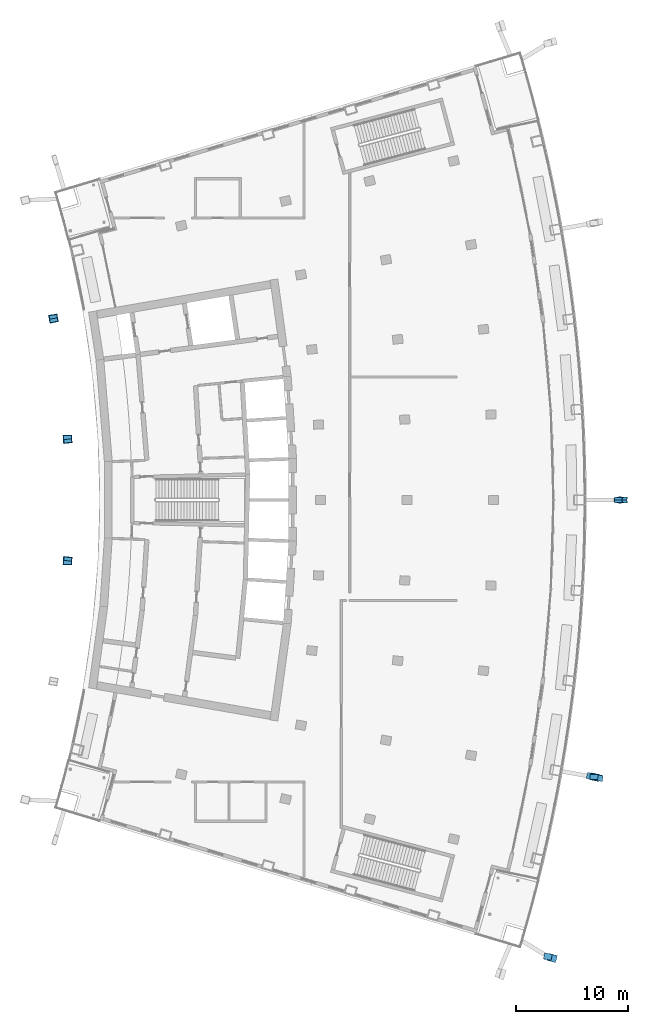
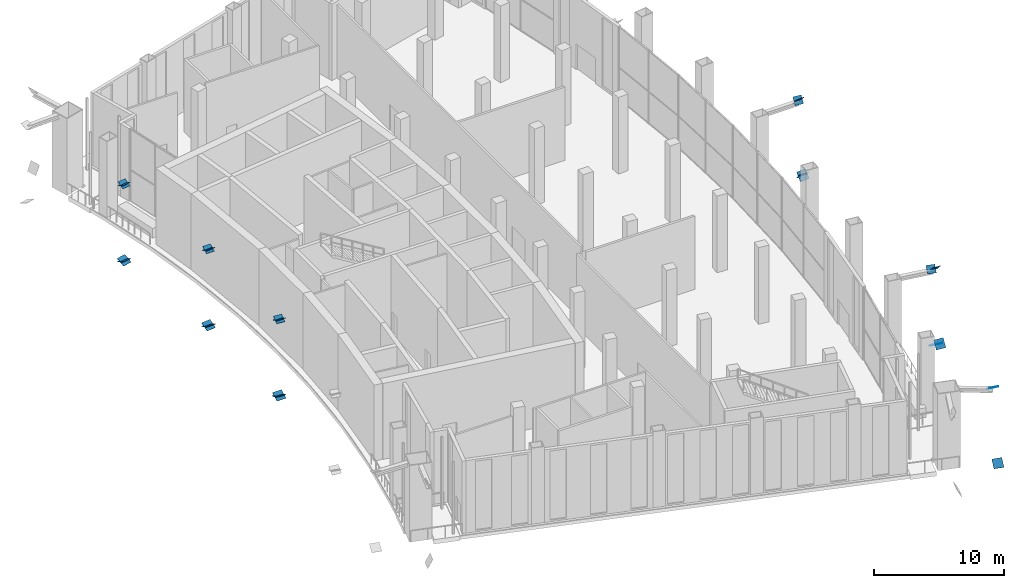
# One storey, part 20 of 26: 22 discrete accessories.
"""IFC4 building model written with IfcOpenShell, lengths in metres."""

from ifc_helpers import new_model, si_unit, direction, frame, origin, origin_2d, place, context, subcontext, project, spatial, rectangle, extrude, material, material_profile, profile_set, type_object, element, save


model = new_model("IFC4")

# Units and contexts
model_context = context("Model", 3, precision=1e-05, world=origin(), true_north=direction((0.0, 1.0)))
body_context = subcontext(model_context, "Body", "Model", "MODEL_VIEW")
ifc_project = project(units=[si_unit("LENGTHUNIT", "METRE"), si_unit("AREAUNIT", "SQUARE_METRE"), si_unit("VOLUMEUNIT", "CUBIC_METRE"), si_unit("PLANEANGLEUNIT", "RADIAN"), si_unit("MASSUNIT", "GRAM", prefix="KILO")], contexts=[model_context])

# Site, building, storey
site_placement = place(None, origin())
site = spatial("IfcSite", under=ifc_project, at=site_placement, CompositionType="ELEMENT")
building_placement = place(site_placement, origin())
building = spatial("IfcBuilding", under=site, at=building_placement, Name="Alderwake Tower", CompositionType="ELEMENT")
storey_placement = place(building_placement, frame((0.0, 0.0, 182.0)))
storey = spatial("IfcBuildingStorey", under=building, at=storey_placement, Name="L45", CompositionType="ELEMENT", Elevation=182.0)

# Discrete accessories
ifc_material_1 = material(Name="Steel ASTM A572 Grade 50", Category="steel")
ifc_material_profile_1 = material_profile(ifc_material_1, rectangle(XDim=0.699951171875, YDim=0.699951171875, at=origin_2d()), Name="BOX 700X700X45 cap")
ifc_profile_set_1 = profile_set([ifc_material_profile_1], Name="Steel ASTM A572 Grade 50")
discrete_accessory_type_1 = type_object("IfcDiscreteAccessoryType", Name="End cap plate BOX 700X700X45", PredefinedType="USERDEFINED", material=ifc_profile_set_1)
discrete_accessory_1_placement = place(storey_placement, frame((56.1337890625, 20.128662109375, 7.199951171875), z_axis=(-0.114561835219, -0.597358140783, -0.7937498583), x_axis=(0.982102279235, -0.188348382319, 0.0)))
element("IfcDiscreteAccessory", 1, at=discrete_accessory_1_placement, inside=storey, type_object=discrete_accessory_type_1, Name="End cap BRF4.1.2A S", ObjectType="END CAP", PredefinedType="USERDEFINED", context=body_context, shape_type="SweptSolid", body=[
    extrude(rectangle(XDim=0.699951171875, YDim=0.699951171875, at=origin_2d()), origin(), (0.0, 0.0, 1.0), 0.02978515625),
])
for number, where, z_axis, x_axis, name in (
    (2, (59.9658203125, 36.252685546875, 7.199951171875), (0.17127028554, 0.587212407567, -0.791105604639), (-0.96, 0.28, 0.0), "End cap BRF4.1.2B1 S"),
    (3, (60.25732421875, 36.201416015625, 7.199951171875), (-0.040724498871, -0.757475678997, -0.651591981933), (0.998557871823, -0.053685907087, 0.0), "End cap BRF4.1.4A S"),
):
    element("IfcDiscreteAccessory", number, at=place(storey_placement, frame(where, z_axis=z_axis, x_axis=x_axis)), inside=storey, type_object=discrete_accessory_type_1, Name=name, ObjectType="END CAP", PredefinedType="USERDEFINED", context=body_context, shape_type="SweptSolid", body=[
        extrude(rectangle(XDim=0.699951171875, YDim=0.699951171875, at=origin_2d()), origin(), (0.0, 0.0, 1.0), 0.030029296875),
    ])
for number, where, z_axis, x_axis, name in (
    (4, (62.432861328125, 61.0, 7.199951171875), (0.089859564923, 0.751552724807, -0.653524108528), (-0.992927816807, 0.11871963027, 0.0), "End cap BRF4.1.4B1 S"),
    (5, (62.432861328125, 61.0, 7.199951171875), (0.089859564923, -0.751552724807, -0.653524108528), (0.992927816807, 0.11871963027, 0.0), "End cap BRF4.1.7A S"),
):
    element("IfcDiscreteAccessory", number, at=place(storey_placement, frame(where, z_axis=z_axis, x_axis=x_axis)), inside=storey, type_object=discrete_accessory_type_1, Name=name, ObjectType="END CAP", PredefinedType="USERDEFINED", context=body_context, shape_type="SweptSolid", body=[
        extrude(rectangle(XDim=0.699951171875, YDim=0.699951171875, at=origin_2d()), origin(), (0.0, 0.0, 1.0), 0.02978515625),
    ])
for number, where, z_axis, x_axis, name in (
    (6, (13.141357421875, 55.560546875, 7.199951171875), (0.048728980643, 0.446682322562, -0.893364645123), (-0.994102176608, 0.108447510175, 0.0), "End cap BRR4.1.4B1 S"),
    (7, (13.141357421875, 55.560546875, 7.199951171875), (0.0, -0.4472135955, -0.894427191), (1.0, 0.0, 0.0), "End cap BRR4.1.6A S"),
    (8, (13.141357421875, 66.439453125, 7.199951171875), (0.0, 0.4472135955, -0.894427191), (-1.0, 0.0, 0.0), "End cap BRR4.1.6B1 S"),
    (9, (13.141357421875, 66.439453125, 7.199951171875), (0.048728980643, -0.446682322562, -0.893364645123), (0.994102176608, 0.108447510175, 0.0), "End cap BRR4.1.8A S"),
    (10, (11.875, 77.244384765625, 7.199951171875), (-0.056826119483, 0.446490938798, -0.892981877596), (-0.991997911724, -0.126254279674, 0.0), "End cap BRR4.1.8B1 S"),
    (11, (11.875, 77.244384765625, 7.199951171875), (0.105495990526, -0.438214114494, -0.892658381376), (0.972223637158, 0.234053838575, 0.0), "End cap BRR4.1.10A S"),
):
    element("IfcDiscreteAccessory", number, at=place(storey_placement, frame(where, z_axis=z_axis, x_axis=x_axis)), inside=storey, type_object=discrete_accessory_type_1, Name=name, ObjectType="END CAP", PredefinedType="USERDEFINED", context=body_context, shape_type="SweptSolid", body=[
        extrude(rectangle(XDim=0.699951171875, YDim=0.699951171875, at=origin_2d()), origin(), (0.0, 0.0, 1.0), 0.030029296875),
    ])
ifc_material_2 = material(Name="Steel ASTM A572 Grade 50", Category="steel")
ifc_material_profile_2 = material_profile(ifc_material_2, rectangle(XDim=0.800048828125, YDim=0.800048828125, at=origin_2d()), Name="BOX 800X800X50 cap")
ifc_profile_set_2 = profile_set([ifc_material_profile_2], Name="Steel ASTM A572 Grade 50")
discrete_accessory_type_2 = type_object("IfcDiscreteAccessoryType", Name="End cap plate BOX 800X800X50", PredefinedType="USERDEFINED", material=ifc_profile_set_2)
for number, where, z_axis, x_axis, name in (
    (12, (60.360595703125, 36.18310546875, 0.0), (0.122625819028, 0.596778985937, 0.792980296383), (-0.979534918634, 0.20127429835, 0.0), "End cap BRF3.2.2A N"),
    (13, (56.517578125, 20.013427734375, 0.0), (-0.155372771556, -0.588781029054, 0.793218886364), (0.966900358349, -0.255154261231, 0.0), "End cap BRF3.2.2B2 N"),
):
    element("IfcDiscreteAccessory", number, at=place(storey_placement, frame(where, z_axis=z_axis, x_axis=x_axis)), inside=storey, type_object=discrete_accessory_type_2, Name=name, ObjectType="END CAP", PredefinedType="USERDEFINED", context=body_context, shape_type="SweptSolid", body=[
        extrude(rectangle(XDim=0.800048828125, YDim=0.800048828125, at=origin_2d()), origin(), (0.0, 0.0, 1.0), 0.02978515625),
    ])
discrete_accessory_2_placement = place(storey_placement, frame((62.83447265625, 61.0, 0.0), z_axis=(0.048851577584, 0.757199452547, 0.651354367783), x_axis=(-0.997925308968, 0.064382277998, 0.0)))
element("IfcDiscreteAccessory", 14, at=discrete_accessory_2_placement, inside=storey, type_object=discrete_accessory_type_2, Name="End cap BRF3.2.4A N", ObjectType="END CAP", PredefinedType="USERDEFINED", context=body_context, shape_type="SweptSolid", body=[
    extrude(rectangle(XDim=0.800048828125, YDim=0.800048828125, at=origin_2d()), origin(), (0.0, 0.0, 1.0), 0.030029296875),
])
discrete_accessory_3_placement = place(storey_placement, frame((60.65283203125, 36.13134765625, 0.0), z_axis=(-0.081747814399, -0.752079892473, 0.653982515194), x_axis=(0.994144463069, -0.108059180768, 0.0)))
element("IfcDiscreteAccessory", 15, at=discrete_accessory_3_placement, inside=storey, type_object=discrete_accessory_type_2, Name="End cap BRF3.2.4B2 N", ObjectType="END CAP", PredefinedType="USERDEFINED", context=body_context, shape_type="SweptSolid", body=[
    extrude(rectangle(XDim=0.800048828125, YDim=0.800048828125, at=origin_2d()), origin(), (0.0, 0.0, 1.0), 0.02978515625),
])
for number, where, z_axis, x_axis, name in (
    (16, (62.83447265625, 61.0, 0.0), (0.048851577584, -0.757199452547, 0.651354367783), (0.997925308968, 0.064382277998, 0.0), "End cap BRF3.2.7B2 N"),
    (17, (13.141357421875, 55.560546875, 0.0), (0.048728980643, 0.446682322562, 0.893364645123), (-0.994102176608, 0.108447510175, 0.0), "End cap BRR3.2.4A N"),
    (18, (13.141357421875, 66.439453125, 0.0), (0.0, 0.4472135955, 0.894427191), (-1.0, 0.0, 0.0), "End cap BRR3.2.6A N"),
    (19, (13.141357421875, 55.560546875, 0.0), (0.0, -0.4472135955, 0.894427191), (1.0, 0.0, 0.0), "End cap BRR3.2.6B2 N"),
    (20, (11.875, 77.244384765625, 0.0), (-0.056826119483, 0.446490938798, 0.892981877596), (-0.991997911724, -0.126254279674, 0.0), "End cap BRR3.2.8A N"),
    (21, (13.141357421875, 66.439453125, 0.0), (0.048728980643, -0.446682322562, 0.893364645123), (0.994102176608, 0.108447510175, 0.0), "End cap BRR3.2.8B2 N"),
    (22, (11.875, 77.244384765625, 0.0), (0.105495990526, -0.438214114494, 0.892658381376), (0.972223637158, 0.234053838575, 0.0), "End cap BRR3.2.10B2 N"),
):
    element("IfcDiscreteAccessory", number, at=place(storey_placement, frame(where, z_axis=z_axis, x_axis=x_axis)), inside=storey, type_object=discrete_accessory_type_2, Name=name, ObjectType="END CAP", PredefinedType="USERDEFINED", context=body_context, shape_type="SweptSolid", body=[
        extrude(rectangle(XDim=0.800048828125, YDim=0.800048828125, at=origin_2d()), origin(), (0.0, 0.0, 1.0), 0.030029296875),
    ])

save(model, "model.ifc")
